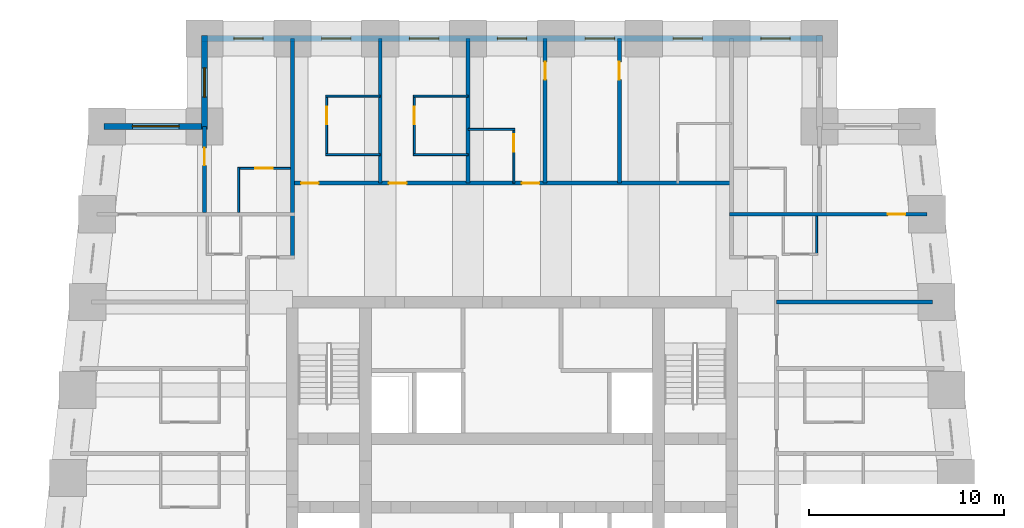
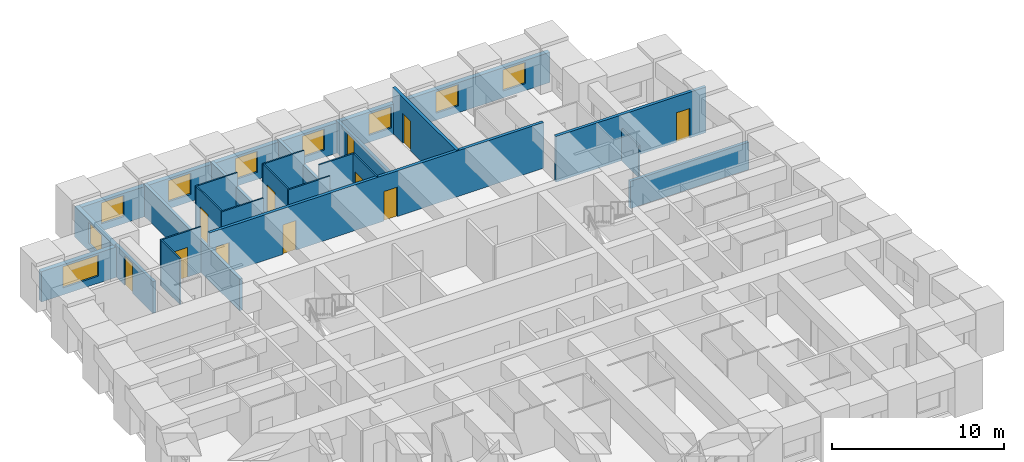
# One storey, part 6 of 8: 23 walls, 11 doors, 9 windows, 20 openings.
"""IFC4 building model written with IfcOpenShell, lengths in metres."""

import ifcopenshell
import ifcopenshell.guid

model = None  # the IFC model being written
_history = None  # IfcOwnerHistory: only IFC2X3 demands one
_inside = {}  # id of a spatial element -> (the spatial element, [elements in it])
_under = {}  # id of a project, library or spatial element -> (it, [spatial elements below it])
_declared = {}  # id of a project -> (the project, [libraries it declares])
_typed = {}  # id of a type object -> (the type object, [elements of that type])
_made_of = {}  # id of a material, layer set ... -> (it, [elements and type objects made of it])


def new_model(schema):
    """Start an empty IFC model of exactly this schema.

    Asked for "IFC4X3", IfcOpenShell would pick the latest addendum, in which some entities
    have other attributes; the version numbers below select the first issue.
    IFC2X3 requires an IfcOwnerHistory on every rooted entity: one is made here for all.
    """
    global model, _history
    if schema == "IFC4X3":
        model = ifcopenshell.file(schema_version=(4, 3, 0, 0))
    else:
        model = ifcopenshell.file(schema=schema)
    _inside.clear()
    _under.clear()
    _declared.clear()
    _typed.clear()
    _made_of.clear()
    _history = None
    if model.schema == "IFC2X3":
        org = make("IfcOrganization", Name="unknown")
        user = make(
            "IfcPersonAndOrganization",
            ThePerson=make("IfcPerson", FamilyName="unknown"),
            TheOrganization=org,
        )
        app = make(
            "IfcApplication",
            ApplicationDeveloper=org,
            Version="unknown",
            ApplicationFullName="unknown",
            ApplicationIdentifier="unknown",
        )
        _history = make(
            "IfcOwnerHistory",
            OwningUser=user,
            OwningApplication=app,
            ChangeAction="ADDED",
            CreationDate=0,
        )
    return model


def make(cls, **values):
    """One entity of the class cls with the attributes given. An attribute that is None is left unset."""
    return model.create_entity(
        cls, **{name: value for name, value in values.items() if value is not None}
    )


def rooted(cls, **values):
    """An entity with a GlobalId (a new one), such as an element, a storey or a relation."""
    return make(cls, GlobalId=ifcopenshell.guid.new(), OwnerHistory=_history, **values)


def si_unit(unit_type, name, prefix=None):
    """IfcSIUnit, for example si_unit("LENGTHUNIT", "METRE", prefix="MILLI")."""
    return make("IfcSIUnit", UnitType=unit_type, Prefix=prefix, Name=name)


def assignment(units):
    """IfcUnitAssignment: the units of a project."""
    return None if units is None else make("IfcUnitAssignment", Units=units)


def point(xyz):
    """IfcCartesianPoint."""
    return None if xyz is None else make("IfcCartesianPoint", Coordinates=xyz)


def direction(xyz):
    """IfcDirection."""
    return None if xyz is None else make("IfcDirection", DirectionRatios=xyz)


def frame(location, z_axis=None, x_axis=None):
    """IfcAxis2Placement3D, a coordinate frame: its origin and axes. An axis left out is left unset."""
    return make(
        "IfcAxis2Placement3D",
        Location=point(location),
        Axis=direction(z_axis),
        RefDirection=direction(x_axis),
    )


def frame_2d(location, x_axis=None):
    """IfcAxis2Placement2D, a coordinate frame in the plane: its origin and x axis."""
    return make(
        "IfcAxis2Placement2D", Location=point(location), RefDirection=direction(x_axis)
    )


def origin():
    """The frame at (0, 0, 0) with its axes left unset."""
    return frame((0.0, 0.0, 0.0))


def place(relative_to, where):
    """IfcLocalPlacement: puts the frame where relative to a parent placement (None: the world)."""
    return make(
        "IfcLocalPlacement", PlacementRelTo=relative_to, RelativePlacement=where
    )


def context(
    kind, dimensions, precision=None, world=None, true_north=None, identifier=None
):
    """IfcGeometricRepresentationContext, for example the 3D "Model" context."""
    return make(
        "IfcGeometricRepresentationContext",
        ContextIdentifier=identifier,
        ContextType=kind,
        CoordinateSpaceDimension=dimensions,
        Precision=precision,
        WorldCoordinateSystem=world,
        TrueNorth=true_north,
    )


def subcontext(parent, identifier, kind, view, scale=None):
    """IfcGeometricRepresentationSubContext, for example "Body" below "Model"."""
    return make(
        "IfcGeometricRepresentationSubContext",
        ContextIdentifier=identifier,
        ContextType=kind,
        ParentContext=parent,
        TargetScale=scale,
        TargetView=view,
    )


def project(units=None, contexts=None):
    """IfcProject with its units and contexts."""
    return rooted(
        "IfcProject",
        Name="project",
        RepresentationContexts=contexts,
        UnitsInContext=assignment(units),
    )


def spatial(cls, under=None, at=None, **own):
    """A site, building, storey or space (cls), placed at a placement, below another one or the project."""
    s = rooted(cls, ObjectPlacement=at, **own)
    if under is not None:
        _under.setdefault(under.id(), (under, []))[1].append(s)
    return s


def profile(cls, at=None, kind="AREA", **sizes):
    """A parametric profile (cls). Its sizes go by their IFC names, for example OverallWidth=200.0."""
    return make(cls, ProfileType=kind, Position=at, **sizes)


def rectangle(**sizes):
    """IfcRectangleProfileDef."""
    return profile("IfcRectangleProfileDef", **sizes)


def extrude(swept, where, along, depth):
    """IfcExtrudedAreaSolid: the profile swept, set in the frame where, extruded along a direction by depth."""
    return make(
        "IfcExtrudedAreaSolid",
        SweptArea=swept,
        Position=where,
        ExtrudedDirection=direction(along),
        Depth=depth,
    )


def shape(context_of_items, identifier, shape_type, items):
    """IfcShapeRepresentation: the items that make up one representation, for example the "Body"."""
    return make(
        "IfcShapeRepresentation",
        ContextOfItems=context_of_items,
        RepresentationIdentifier=identifier,
        RepresentationType=shape_type,
        Items=items,
    )


def material(Name=None, Category=None):
    """IfcMaterial."""
    return make("IfcMaterial", Name=Name, Category=Category)


def layer(
    of_material, thickness, ventilated=None, Name=None, Category=None, Priority=None
):
    """IfcMaterialLayer: one layer of a wall or slab, of a material (None: an air gap)."""
    return make(
        "IfcMaterialLayer",
        Material=of_material,
        LayerThickness=thickness,
        IsVentilated=ventilated,
        Name=Name,
        Category=Category,
        Priority=Priority,
    )


def layer_set(layers, Name=None):
    """IfcMaterialLayerSet."""
    return make("IfcMaterialLayerSet", MaterialLayers=layers, LayerSetName=Name)


def made_of(thing, what):
    """Note that an element or type object is made of a material, layer set ...; save() writes the relation."""
    if what is not None:
        _made_of.setdefault(what.id(), (what, []))[1].append(thing)
    return thing


def type_object(cls, material=None, **own):
    """A type object (cls), such as IfcWallType, which elements share."""
    return made_of(rooted(cls, **own), material)


def element(
    cls,
    number,
    at=None,
    inside=None,
    cuts=None,
    type_object=None,
    material=None,
    context=None,
    identifier="Body",
    shape_type=None,
    held_by="IfcProductDefinitionShape",
    body=None,
    shapes=None,
    **own,
):
    """One element of the class cls, such as IfcWall. Its Tag is "e" and its number.

    at: its placement. inside: the storey or other place that contains it. cuts: it is an
    opening in that element (IfcRelVoidsElement). A single representation is given by context,
    identifier, shape_type and body (its items); several are given by shapes. held_by: the class
    of the entity that holds the representations. save() writes the other relations.
    """
    e = rooted(cls, Tag="e%d" % number, ObjectPlacement=at, **own)
    if body is not None:
        shapes = [shape(context, identifier, shape_type, body)]
    if shapes is not None:
        e.Representation = make(held_by, Representations=shapes)
    if inside is not None:
        _inside.setdefault(inside.id(), (inside, []))[1].append(e)
    if cuts is not None:
        rooted(
            "IfcRelVoidsElement", RelatingBuildingElement=cuts, RelatedOpeningElement=e
        )
    if type_object is not None:
        _typed.setdefault(type_object.id(), (type_object, []))[1].append(e)
    return made_of(e, material)


def fill(opening, filler):
    """IfcRelFillsElement: the door or window that sits in an opening."""
    return rooted(
        "IfcRelFillsElement",
        RelatingOpeningElement=opening,
        RelatedBuildingElement=filler,
    )


def aggregate(whole, parts):
    """IfcRelAggregates: a whole, such as a stair, and the parts it consists of."""
    return rooted("IfcRelAggregates", RelatingObject=whole, RelatedObjects=parts)


def save(model, path):
    """Write the relations noted so far, then the file.

    IfcRelAggregates (storeys below a building ...), IfcRelContainedInSpatialStructure (elements
    in a storey), IfcRelDefinesByType, IfcRelAssociatesMaterial and IfcRelDeclares: one each for
    every whole, place, type object, material and project.
    """
    for whole, parts in _under.values():
        aggregate(whole, parts)
    for where, things in _inside.values():
        rooted(
            "IfcRelContainedInSpatialStructure",
            RelatedElements=things,
            RelatingStructure=where,
        )
    for kind, things in _typed.values():
        rooted("IfcRelDefinesByType", RelatedObjects=things, RelatingType=kind)
    for what, things in _made_of.values():
        rooted("IfcRelAssociatesMaterial", RelatedObjects=things, RelatingMaterial=what)
    for by, libraries in _declared.values():
        rooted("IfcRelDeclares", RelatingContext=by, RelatedDefinitions=libraries)
    model.write(path)


model = new_model("IFC4")

# Units and contexts
model_context = context("Model", 3, precision=1e-05, world=origin(), true_north=direction((0.0, 1.0)))
body_context = subcontext(model_context, "Body", "Model", "MODEL_VIEW")
ifc_project = project(units=[si_unit("LENGTHUNIT", "METRE"), si_unit("AREAUNIT", "SQUARE_METRE"), si_unit("VOLUMEUNIT", "CUBIC_METRE"), si_unit("PLANEANGLEUNIT", "RADIAN"), si_unit("MASSUNIT", "GRAM", prefix="KILO")], contexts=[model_context])

# Site, building, storey
site_placement = place(None, origin())
site = spatial("IfcSite", under=ifc_project, at=site_placement, CompositionType="ELEMENT")
building_placement = place(site_placement, origin())
building = spatial("IfcBuilding", under=site, at=building_placement, Name="Kilele Tower Hotel", CompositionType="ELEMENT")
storey_placement = place(building_placement, frame((0.0, 0.0, 103.89990234375)))
storey = spatial("IfcBuildingStorey", under=building, at=storey_placement, Name="L26", CompositionType="ELEMENT", Elevation=103.89990234375)

# Walls
ifc_material_1 = material(Name="Moisture-resistant board")
ifc_layer_1 = layer(ifc_material_1, 0.10009765625)
ifc_layer_set_1 = layer_set([ifc_layer_1], Name="Moisture-resistant board")
wall_type_1 = type_object("IfcWallType", Name="Bathroom partition 100", PredefinedType="PLUMBINGWALL", material=ifc_layer_set_1)
for number, where, z_axis, x_axis, name in (
    (1, (15.199951171875, 34.550048828125, 0.0), (0.0, 0.0, 1.0), (1.0, 0.0, 0.0), "Bathroom partition 100 L26"),
    (2, (15.199951171875, 37.550048828125, 0.0), (0.0, 0.0, 1.0), (1.0, 0.0, 0.0), "Bathroom partition 100 L26"),
):
    element("IfcWall", number, at=place(storey_placement, frame(where, z_axis=z_axis, x_axis=x_axis)), inside=storey, type_object=wall_type_1, Name=name, PredefinedType="PLUMBINGWALL", context=body_context, shape_type="SweptSolid", body=[
        extrude(rectangle(XDim=2.800048828125, YDim=0.10009765625, at=frame_2d((1.39990234375, 0.0))), origin(), (0.0, 0.0, 1.0), 3.25),
    ])

# Wall, opening, door
wall_1_placement = place(storey_placement, frame((15.25, 34.5, 0.0), z_axis=(0.0, 0.0, 1.0), x_axis=(0.0, 1.0, 0.0)))
wall_1 = element("IfcWall", 3, at=wall_1_placement, inside=storey, type_object=wall_type_1, Name="Bathroom partition 100 L26", PredefinedType="PLUMBINGWALL", context=body_context, shape_type="SweptSolid", body=[
    extrude(rectangle(XDim=3.10009765625, YDim=0.10009765625, at=frame_2d((1.550048828125, 0.0))), origin(), (0.0, 0.0, 1.0), 3.25),
])
opening_1_placement = place(wall_1_placement, frame((1.60009765625, 0.0, 0.0)))
opening_1 = element("IfcOpeningElement", 4, at=opening_1_placement, cuts=wall_1, Name="Opening D2A", PredefinedType="OPENING", context=body_context, shape_type="SweptSolid", body=[
    extrude(rectangle(XDim=0.89990234375, YDim=2.10009765625, at=frame_2d((0.449951171875, 1.050048828125))), frame((0.0, 0.06005859375, 0.0), z_axis=(0.0, -1.0, 0.0), x_axis=(1.0, 0.0, 0.0)), (0.0, 0.0, 1.0), 0.1201171875),
])
ifc_material_2 = material(Name="Timber door leaf in hardwood frame", Category="wood")
door_type_1 = type_object("IfcDoorType", Name="Bathroom door 900", OperationType="SINGLE_SWING_LEFT", PredefinedType="DOOR", material=ifc_material_2)
door_1_placement = place(opening_1_placement, origin())
door_1 = element("IfcDoor", 5, at=door_1_placement, inside=storey, type_object=door_type_1, Name="Bathroom door 2609B", OperationType="SINGLE_SWING_RIGHT", OverallHeight=2.10009765625, OverallWidth=0.89990234375, PredefinedType="DOOR", context=body_context, shape_type="SweptSolid", body=[
    extrude(rectangle(XDim=0.89990234375, YDim=2.10009765625, at=frame_2d((0.449951171875, 1.050048828125))), frame((0.0, 0.02490234375, 0.0), z_axis=(0.0, -1.0, 0.0), x_axis=(1.0, 0.0, 0.0)), (0.0, 0.0, 1.0), 0.050048828125),
])
fill(opening_1, door_1)

# Walls
for number, where, z_axis, x_axis, name in (
    (6, (19.699951171875, 34.550048828125, 0.0), (0.0, 0.0, 1.0), (1.0, 0.0, 0.0), "Bathroom partition 100 L26"),
    (7, (19.699951171875, 37.550048828125, 0.0), (0.0, 0.0, 1.0), (1.0, 0.0, 0.0), "Bathroom partition 100 L26"),
):
    element("IfcWall", number, at=place(storey_placement, frame(where, z_axis=z_axis, x_axis=x_axis)), inside=storey, type_object=wall_type_1, Name=name, PredefinedType="PLUMBINGWALL", context=body_context, shape_type="SweptSolid", body=[
        extrude(rectangle(XDim=2.800048828125, YDim=0.10009765625, at=frame_2d((1.39990234375, 0.0))), origin(), (0.0, 0.0, 1.0), 3.25),
    ])

# Wall, opening, door
wall_2_placement = place(storey_placement, frame((19.75, 34.5, 0.0), z_axis=(0.0, 0.0, 1.0), x_axis=(0.0, 1.0, 0.0)))
wall_2 = element("IfcWall", 8, at=wall_2_placement, inside=storey, type_object=wall_type_1, Name="Bathroom partition 100 L26", PredefinedType="PLUMBINGWALL", context=body_context, shape_type="SweptSolid", body=[
    extrude(rectangle(XDim=3.10009765625, YDim=0.10009765625, at=frame_2d((1.550048828125, 0.0))), origin(), (0.0, 0.0, 1.0), 3.25),
])
opening_2_placement = place(wall_2_placement, frame((1.60009765625, 0.0, 0.0)))
opening_2 = element("IfcOpeningElement", 9, at=opening_2_placement, cuts=wall_2, Name="Opening D2A", PredefinedType="OPENING", context=body_context, shape_type="SweptSolid", body=[
    extrude(rectangle(XDim=0.89990234375, YDim=2.10009765625, at=frame_2d((0.449951171875, 1.050048828125))), frame((0.0, 0.06005859375, 0.0), z_axis=(0.0, -1.0, 0.0), x_axis=(1.0, 0.0, 0.0)), (0.0, 0.0, 1.0), 0.1201171875),
])
door_2_placement = place(opening_2_placement, origin())
door_2 = element("IfcDoor", 10, at=door_2_placement, inside=storey, type_object=door_type_1, Name="Bathroom door 2610B", OperationType="SINGLE_SWING_RIGHT", OverallHeight=2.10009765625, OverallWidth=0.89990234375, PredefinedType="DOOR", context=body_context, shape_type="SweptSolid", body=[
    extrude(rectangle(XDim=0.89990234375, YDim=2.10009765625, at=frame_2d((0.449951171875, 1.050048828125))), frame((0.0, 0.02490234375, 0.0), z_axis=(0.0, -1.0, 0.0), x_axis=(1.0, 0.0, 0.0)), (0.0, 0.0, 1.0), 0.050048828125),
])
fill(opening_2, door_2)

# Wall
wall_3_placement = place(storey_placement, frame((22.5, 35.85009765625, 0.0), z_axis=(0.0, 0.0, 1.0), x_axis=(1.0, 0.0, 0.0)))
element("IfcWall", 11, at=wall_3_placement, inside=storey, type_object=wall_type_1, Name="Bathroom partition 100 L26", PredefinedType="PLUMBINGWALL", context=body_context, shape_type="SweptSolid", body=[
    extrude(rectangle(XDim=2.39990234375, YDim=0.10009765625, at=frame_2d((1.199951171875, 0.0))), origin(), (0.0, 0.0, 1.0), 3.25),
])

# Wall, opening, door
wall_4_placement = place(storey_placement, frame((24.85009765625, 33.10009765625, 0.0), z_axis=(0.0, 0.0, 1.0), x_axis=(0.0, 1.0, 0.0)))
wall_4 = element("IfcWall", 12, at=wall_4_placement, inside=storey, type_object=wall_type_1, Name="Bathroom partition 100 L26", PredefinedType="PLUMBINGWALL", context=body_context, shape_type="SweptSolid", body=[
    extrude(rectangle(XDim=2.7998046875, YDim=0.10009765625, at=frame_2d((1.39990234375, 0.0))), origin(), (0.0, 0.0, 1.0), 3.25),
])
opening_3_placement = place(wall_4_placement, frame((2.5, 0.0, 0.0), z_axis=(0.0, 0.0, 1.0), x_axis=(-1.0, 0.0, 0.0)))
opening_3 = element("IfcOpeningElement", 13, at=opening_3_placement, cuts=wall_4, Name="Opening D2A", PredefinedType="OPENING", context=body_context, shape_type="SweptSolid", body=[
    extrude(rectangle(XDim=0.89990234375, YDim=2.10009765625, at=frame_2d((0.449951171875, 1.050048828125))), frame((0.0, 0.06005859375, 0.0), z_axis=(0.0, -1.0, 0.0), x_axis=(1.0, 0.0, 0.0)), (0.0, 0.0, 1.0), 0.1201171875),
])
door_3_placement = place(opening_3_placement, origin())
door_3 = element("IfcDoor", 14, at=door_3_placement, inside=storey, type_object=door_type_1, Name="Bathroom door 2611B", OperationType="SINGLE_SWING_RIGHT", OverallHeight=2.10009765625, OverallWidth=0.89990234375, PredefinedType="DOOR", context=body_context, shape_type="SweptSolid", body=[
    extrude(rectangle(XDim=0.89990234375, YDim=2.10009765625, at=frame_2d((0.449951171875, 1.050048828125))), frame((0.0, 0.02490234375, 0.0), z_axis=(0.0, -1.0, 0.0), x_axis=(1.0, 0.0, 0.0)), (0.0, 0.0, 1.0), 0.050048828125),
])
fill(opening_3, door_3)

# Walls
wall_5_placement = place(storey_placement, frame((40.35009765625, 31.39990234375, 0.0), z_axis=(0.0, 0.0, 1.0), x_axis=(0.0, -1.0, 0.0)))
element("IfcWall", 15, at=wall_5_placement, inside=storey, type_object=wall_type_1, Name="Bathroom partition 100 L26", PredefinedType="PLUMBINGWALL", context=body_context, shape_type="SweptSolid", body=[
    extrude(rectangle(XDim=2.0, YDim=0.10009765625, at=frame_2d((1.0, 0.0))), origin(), (0.0, 0.0, 1.0), 2.25),
])
wall_6_placement = place(storey_placement, frame((10.75, 31.60009765625, 0.0), z_axis=(0.0, 0.0, 1.0), x_axis=(0.0, 1.0, 0.0)))
element("IfcWall", 16, at=wall_6_placement, inside=storey, type_object=wall_type_1, Name="Bathroom partition 100 L26", PredefinedType="PLUMBINGWALL", context=body_context, shape_type="SweptSolid", body=[
    extrude(rectangle(XDim=2.2998046875, YDim=0.10009765625, at=frame_2d((1.14990234375, 0.0))), origin(), (0.0, 0.0, 1.0), 3.25),
])

# Wall, opening, door
wall_7_placement = place(storey_placement, frame((13.39990234375, 33.85009765625, 0.0), z_axis=(0.0, 0.0, 1.0), x_axis=(-1.0, 0.0, 0.0)))
wall_7 = element("IfcWall", 17, at=wall_7_placement, inside=storey, type_object=wall_type_1, Name="Bathroom partition 100 L26", PredefinedType="PLUMBINGWALL", context=body_context, shape_type="SweptSolid", body=[
    extrude(rectangle(XDim=2.699951171875, YDim=0.10009765625, at=frame_2d((1.35009765625, 0.0))), origin(), (0.0, 0.0, 1.0), 3.25),
])
opening_4_placement = place(wall_7_placement, frame((1.7998046875, 0.0, 0.0), z_axis=(0.0, 0.0, 1.0), x_axis=(-1.0, 0.0, 0.0)))
opening_4 = element("IfcOpeningElement", 18, at=opening_4_placement, cuts=wall_7, Name="Opening D2A", PredefinedType="OPENING", context=body_context, shape_type="SweptSolid", body=[
    extrude(rectangle(XDim=0.89990234375, YDim=2.10009765625, at=frame_2d((0.449951171875, 1.050048828125))), frame((0.0, 0.06005859375, 0.0), z_axis=(0.0, -1.0, 0.0), x_axis=(1.0, 0.0, 0.0)), (0.0, 0.0, 1.0), 0.1201171875),
])
door_4_placement = place(opening_4_placement, origin())
door_4 = element("IfcDoor", 19, at=door_4_placement, inside=storey, type_object=door_type_1, Name="Bathroom door 2627B", OperationType="SINGLE_SWING_RIGHT", OverallHeight=2.10009765625, OverallWidth=0.89990234375, PredefinedType="DOOR", context=body_context, shape_type="SweptSolid", body=[
    extrude(rectangle(XDim=0.89990234375, YDim=2.10009765625, at=frame_2d((0.449951171875, 1.050048828125))), frame((0.0, 0.02490234375, 0.0), z_axis=(0.0, -1.0, 0.0), x_axis=(1.0, 0.0, 0.0)), (0.0, 0.0, 1.0), 0.050048828125),
])
fill(opening_4, door_4)

# Wall, openings, doors
ifc_material_3 = material(Name="Blockwork, plastered both sides", Category="masonry")
ifc_layer_2 = layer(ifc_material_3, 0.199951171875)
ifc_layer_set_2 = layer_set([ifc_layer_2], Name="Blockwork, plastered both sides")
wall_type_2 = type_object("IfcWallType", Name="Corridor wall 200", PredefinedType="PARTITIONING", material=ifc_layer_set_2)
wall_8_placement = place(storey_placement, frame((13.5, 33.10009765625, 0.0), z_axis=(0.0, 0.0, 1.0), x_axis=(1.0, 0.0, 0.0)))
wall_8 = element("IfcWall", 20, at=wall_8_placement, inside=storey, type_object=wall_type_2, Name="Corridor wall 200 L26", PredefinedType="PARTITIONING", context=body_context, shape_type="SweptSolid", body=[
    extrude(rectangle(XDim=22.5, YDim=0.199951171875, at=frame_2d((11.25, 0.0))), origin(), (0.0, 0.0, 1.0), 3.25),
])
opening_5_placement = place(wall_8_placement, frame((0.449951171875, 0.0, 0.0)))
opening_5 = element("IfcOpeningElement", 21, at=opening_5_placement, cuts=wall_8, Name="Opening D1", PredefinedType="OPENING", context=body_context, shape_type="SweptSolid", body=[
    extrude(rectangle(XDim=0.89990234375, YDim=2.10009765625, at=frame_2d((0.449951171875, 1.050048828125))), frame((0.0, 0.10986328125, 0.0), z_axis=(0.0, -1.0, 0.0), x_axis=(1.0, 0.0, 0.0)), (0.0, 0.0, 1.0), 0.219970703125),
])
opening_6_placement = place(wall_8_placement, frame((4.949951171875, 0.0, 0.0)))
opening_6 = element("IfcOpeningElement", 22, at=opening_6_placement, cuts=wall_8, Name="Opening D1", PredefinedType="OPENING", context=body_context, shape_type="SweptSolid", body=[
    extrude(rectangle(XDim=0.89990234375, YDim=2.10009765625, at=frame_2d((0.449951171875, 1.050048828125))), frame((0.0, 0.10986328125, 0.0), z_axis=(0.0, -1.0, 0.0), x_axis=(1.0, 0.0, 0.0)), (0.0, 0.0, 1.0), 0.219970703125),
])
opening_7_placement = place(wall_8_placement, frame((11.75, 0.0, 0.0)))
opening_7 = element("IfcOpeningElement", 23, at=opening_7_placement, cuts=wall_8, Name="Opening D1", PredefinedType="OPENING", context=body_context, shape_type="SweptSolid", body=[
    extrude(rectangle(XDim=0.89990234375, YDim=2.10009765625, at=frame_2d((0.449951171875, 1.050048828125))), frame((0.0, 0.10986328125, 0.0), z_axis=(0.0, -1.0, 0.0), x_axis=(1.0, 0.0, 0.0)), (0.0, 0.0, 1.0), 0.219970703125),
])
ifc_material_4 = material(Name="Timber door leaf in hardwood frame", Category="wood")
door_type_2 = type_object("IfcDoorType", Name="Guest room entrance door 900", OperationType="SINGLE_SWING_LEFT", PredefinedType="DOOR", material=ifc_material_4)
door_5_placement = place(opening_5_placement, origin())
door_5 = element("IfcDoor", 24, at=door_5_placement, inside=storey, type_object=door_type_2, Name="Room entrance 2609", OperationType="SINGLE_SWING_LEFT", OverallHeight=2.10009765625, OverallWidth=0.89990234375, PredefinedType="DOOR", context=body_context, shape_type="SweptSolid", body=[
    extrude(rectangle(XDim=0.89990234375, YDim=2.10009765625, at=frame_2d((0.449951171875, 1.050048828125))), frame((0.0, 0.02490234375, 0.0), z_axis=(0.0, -1.0, 0.0), x_axis=(1.0, 0.0, 0.0)), (0.0, 0.0, 1.0), 0.050048828125),
])
fill(opening_5, door_5)
door_6_placement = place(opening_6_placement, origin())
door_6 = element("IfcDoor", 25, at=door_6_placement, inside=storey, type_object=door_type_2, Name="Room entrance 2610", OperationType="SINGLE_SWING_LEFT", OverallHeight=2.10009765625, OverallWidth=0.89990234375, PredefinedType="DOOR", context=body_context, shape_type="SweptSolid", body=[
    extrude(rectangle(XDim=0.89990234375, YDim=2.10009765625, at=frame_2d((0.449951171875, 1.050048828125))), frame((0.0, 0.02490234375, 0.0), z_axis=(0.0, -1.0, 0.0), x_axis=(1.0, 0.0, 0.0)), (0.0, 0.0, 1.0), 0.050048828125),
])
fill(opening_6, door_6)
door_7_placement = place(opening_7_placement, origin())
door_7 = element("IfcDoor", 26, at=door_7_placement, inside=storey, type_object=door_type_2, Name="Room entrance 2611", OperationType="SINGLE_SWING_RIGHT", OverallHeight=2.10009765625, OverallWidth=0.89990234375, PredefinedType="DOOR", context=body_context, shape_type="SweptSolid", body=[
    extrude(rectangle(XDim=0.89990234375, YDim=2.10009765625, at=frame_2d((0.449951171875, 1.050048828125))), frame((0.0, 0.02490234375, 0.0), z_axis=(0.0, -1.0, 0.0), x_axis=(1.0, 0.0, 0.0)), (0.0, 0.0, 1.0), 0.050048828125),
])
fill(opening_7, door_7)

# Wall, opening, door
ifc_material_5 = material(Name="Blockwork, plastered both sides", Category="masonry")
ifc_layer_3 = layer(ifc_material_5, 0.199951171875)
ifc_layer_set_3 = layer_set([ifc_layer_3], Name="Blockwork, plastered both sides")
wall_type_3 = type_object("IfcWallType", Name="Partition wall 200", PredefinedType="PARTITIONING", material=ifc_layer_set_3)
wall_9_placement = place(storey_placement, frame((9.0, 31.60009765625, 0.0), z_axis=(0.0, 0.0, 1.0), x_axis=(0.0, 1.0, 0.0)))
wall_9 = element("IfcWall", 27, at=wall_9_placement, inside=storey, type_object=wall_type_3, Name="Partition wall 200 L26", PredefinedType="PARTITIONING", context=body_context, shape_type="SweptSolid", body=[
    extrude(rectangle(XDim=4.39990234375, YDim=0.199951171875, at=frame_2d((2.199951171875, 0.0))), origin(), (0.0, 0.0, 1.0), 2.25),
])
opening_8_placement = place(wall_9_placement, frame((2.39990234375, 0.0, 0.0)))
opening_8 = element("IfcOpeningElement", 28, at=opening_8_placement, cuts=wall_9, Name="Opening D3", PredefinedType="OPENING", context=body_context, shape_type="SweptSolid", body=[
    extrude(rectangle(XDim=0.89990234375, YDim=2.10009765625, at=frame_2d((0.449951171875, 1.050048828125))), frame((0.0, 0.10986328125, 0.0), z_axis=(0.0, -1.0, 0.0), x_axis=(1.0, 0.0, 0.0)), (0.0, 0.0, 1.0), 0.219970703125),
])
ifc_material_6 = material(Name="Timber door leaf in hardwood frame", Category="wood")
door_type_3 = type_object("IfcDoorType", Name="Suite internal door 900", OperationType="SINGLE_SWING_LEFT", PredefinedType="DOOR", material=ifc_material_6)
door_8_placement = place(opening_8_placement, origin())
door_8 = element("IfcDoor", 29, at=door_8_placement, inside=storey, type_object=door_type_3, Name="Suite door 2628", OperationType="SINGLE_SWING_RIGHT", OverallHeight=2.10009765625, OverallWidth=0.89990234375, PredefinedType="DOOR", context=body_context, shape_type="SweptSolid", body=[
    extrude(rectangle(XDim=0.89990234375, YDim=2.10009765625, at=frame_2d((0.449951171875, 1.050048828125))), frame((0.0, 0.02490234375, 0.0), z_axis=(0.0, -1.0, 0.0), x_axis=(1.0, 0.0, 0.0)), (0.0, 0.0, 1.0), 0.050048828125),
])
fill(opening_8, door_8)

# Walls
ifc_material_7 = material(Name="Blockwork, plastered both sides", Category="masonry")
ifc_layer_4 = layer(ifc_material_7, 0.199951171875)
ifc_layer_set_4 = layer_set([ifc_layer_4], Name="Blockwork, plastered both sides")
wall_type_4 = type_object("IfcWallType", Name="Party wall 200", PredefinedType="PARTITIONING", material=ifc_layer_set_4)
for number, where, z_axis, x_axis, name in (
    (30, (18.0, 33.10009765625, 0.0), (0.0, 0.0, 1.0), (0.0, 1.0, 0.0), "Party wall 200 L26"),
    (31, (22.5, 33.10009765625, 0.0), (0.0, 0.0, 1.0), (0.0, 1.0, 0.0), "Party wall 200 L26"),
):
    element("IfcWall", number, at=place(storey_placement, frame(where, z_axis=z_axis, x_axis=x_axis)), inside=storey, type_object=wall_type_4, Name=name, PredefinedType="PARTITIONING", context=body_context, shape_type="SweptSolid", body=[
        extrude(rectangle(XDim=7.39990234375, YDim=0.199951171875, at=frame_2d((3.699951171875, 0.0))), origin(), (0.0, 0.0, 1.0), 2.25),
    ])

# Wall, opening, door
wall_10_placement = place(storey_placement, frame((26.449951171875, 33.10009765625, 0.0), z_axis=(0.0, 0.0, 1.0), x_axis=(0.0, 1.0, 0.0)))
wall_10 = element("IfcWall", 32, at=wall_10_placement, inside=storey, type_object=wall_type_4, Name="Party wall 200 L26", PredefinedType="PARTITIONING", context=body_context, shape_type="SweptSolid", body=[
    extrude(rectangle(XDim=7.39990234375, YDim=0.199951171875, at=frame_2d((3.699951171875, 0.0))), origin(), (0.0, 0.0, 1.0), 2.25),
])
opening_9_placement = place(wall_10_placement, frame((5.300048828125, 0.0, 0.0)))
opening_9 = element("IfcOpeningElement", 33, at=opening_9_placement, cuts=wall_10, Name="Opening D3", PredefinedType="OPENING", context=body_context, shape_type="SweptSolid", body=[
    extrude(rectangle(XDim=0.89990234375, YDim=2.10009765625, at=frame_2d((0.449951171875, 1.050048828125))), frame((0.0, 0.10986328125, 0.0), z_axis=(0.0, -1.0, 0.0), x_axis=(1.0, 0.0, 0.0)), (0.0, 0.0, 1.0), 0.219970703125),
])
door_9_placement = place(opening_9_placement, origin())
door_9 = element("IfcDoor", 34, at=door_9_placement, inside=storey, type_object=door_type_3, Name="Suite door 2612", OperationType="SINGLE_SWING_RIGHT", OverallHeight=2.10009765625, OverallWidth=0.89990234375, PredefinedType="DOOR", context=body_context, shape_type="SweptSolid", body=[
    extrude(rectangle(XDim=0.89990234375, YDim=2.10009765625, at=frame_2d((0.449951171875, 1.050048828125))), frame((0.0, 0.02490234375, 0.0), z_axis=(0.0, -1.0, 0.0), x_axis=(1.0, 0.0, 0.0)), (0.0, 0.0, 1.0), 0.050048828125),
])
fill(opening_9, door_9)

wall_11_placement = place(storey_placement, frame((30.25, 33.10009765625, 0.0), z_axis=(0.0, 0.0, 1.0), x_axis=(0.0, 1.0, 0.0)))
wall_11 = element("IfcWall", 35, at=wall_11_placement, inside=storey, type_object=wall_type_4, Name="Party wall 200 L26", PredefinedType="PARTITIONING", context=body_context, shape_type="SweptSolid", body=[
    extrude(rectangle(XDim=7.39990234375, YDim=0.199951171875, at=frame_2d((3.699951171875, 0.0))), origin(), (0.0, 0.0, 1.0), 3.25),
])
opening_10_placement = place(wall_11_placement, frame((5.300048828125, 0.0, 0.0)))
opening_10 = element("IfcOpeningElement", 36, at=opening_10_placement, cuts=wall_11, Name="Opening D3", PredefinedType="OPENING", context=body_context, shape_type="SweptSolid", body=[
    extrude(rectangle(XDim=0.89990234375, YDim=2.10009765625, at=frame_2d((0.449951171875, 1.050048828125))), frame((0.0, 0.10986328125, 0.0), z_axis=(0.0, -1.0, 0.0), x_axis=(1.0, 0.0, 0.0)), (0.0, 0.0, 1.0), 0.219970703125),
])
door_10_placement = place(opening_10_placement, origin())
door_10 = element("IfcDoor", 37, at=door_10_placement, inside=storey, type_object=door_type_3, Name="Suite door 2613", OperationType="SINGLE_SWING_RIGHT", OverallHeight=2.10009765625, OverallWidth=0.89990234375, PredefinedType="DOOR", context=body_context, shape_type="SweptSolid", body=[
    extrude(rectangle(XDim=0.89990234375, YDim=2.10009765625, at=frame_2d((0.449951171875, 1.050048828125))), frame((0.0, 0.02490234375, 0.0), z_axis=(0.0, -1.0, 0.0), x_axis=(1.0, 0.0, 0.0)), (0.0, 0.0, 1.0), 0.050048828125),
])
fill(opening_10, door_10)

# Wall
wall_12_placement = place(storey_placement, frame((38.300048828125, 27.0, 0.0), z_axis=(0.0, 0.0, 1.0), x_axis=(1.0, 0.0, 0.0)))
element("IfcWall", 38, at=wall_12_placement, inside=storey, type_object=wall_type_4, Name="Party wall 200 L26", PredefinedType="PARTITIONING", context=body_context, shape_type="SweptSolid", body=[
    extrude(rectangle(XDim=7.976806640625, YDim=0.199951171875, at=frame_2d((3.98828125, 0.0))), origin(), (0.0, 0.0, 1.0), 1.9501953125),
])

# Wall, opening, door
wall_13_placement = place(storey_placement, frame((35.89990234375, 31.5, 0.0), z_axis=(0.0, 0.0, 1.0), x_axis=(1.0, 0.0, 0.0)))
wall_13 = element("IfcWall", 39, at=wall_13_placement, inside=storey, type_object=wall_type_4, Name="Party wall 200 L26", PredefinedType="PARTITIONING", context=body_context, shape_type="SweptSolid", body=[
    extrude(rectangle(XDim=10.09912109375, YDim=0.199951171875, at=frame_2d((5.049560546875, 0.0))), origin(), (0.0, 0.0, 1.0), 3.25),
])
opening_11_placement = place(wall_13_placement, frame((8.09912109375, 0.0, 0.0)))
opening_11 = element("IfcOpeningElement", 40, at=opening_11_placement, cuts=wall_13, Name="Opening D3", PredefinedType="OPENING", context=body_context, shape_type="SweptSolid", body=[
    extrude(rectangle(XDim=0.89990234375, YDim=2.10009765625, at=frame_2d((0.449951171875, 1.050048828125))), frame((0.0, 0.10986328125, 0.0), z_axis=(0.0, -1.0, 0.0), x_axis=(1.0, 0.0, 0.0)), (0.0, 0.0, 1.0), 0.219970703125),
])
door_11_placement = place(opening_11_placement, origin())
door_11 = element("IfcDoor", 41, at=door_11_placement, inside=storey, type_object=door_type_3, Name="Suite door 2624", OperationType="SINGLE_SWING_RIGHT", OverallHeight=2.10009765625, OverallWidth=0.89990234375, PredefinedType="DOOR", context=body_context, shape_type="SweptSolid", body=[
    extrude(rectangle(XDim=0.89990234375, YDim=2.10009765625, at=frame_2d((0.449951171875, 1.050048828125))), frame((0.0, 0.02490234375, 0.0), z_axis=(0.0, -1.0, 0.0), x_axis=(1.0, 0.0, 0.0)), (0.0, 0.0, 1.0), 0.050048828125),
])
fill(opening_11, door_11)

# Wall
wall_14_placement = place(storey_placement, frame((13.5, 29.300048828125, 0.0), z_axis=(0.0, 0.0, 1.0), x_axis=(0.0, 1.0, 0.0)))
element("IfcWall", 42, at=wall_14_placement, inside=storey, type_object=wall_type_4, Name="Party wall 200 L26", PredefinedType="PARTITIONING", context=body_context, shape_type="SweptSolid", body=[
    extrude(rectangle(XDim=11.199951171875, YDim=0.199951171875, at=frame_2d((5.60009765625, 0.0))), origin(), (0.0, 0.0, 1.0), 2.25),
])

# Wall, openings, windows
ifc_material_8 = material(Name="Concrete C40/50 precast", Category="concrete")
ifc_layer_5 = layer(ifc_material_8, 0.260009765625, Name="Precast backing", Category="LoadBearing")
ifc_material_9 = material(Name="Reconstituted stone finish", Category="masonry")
ifc_layer_6 = layer(ifc_material_9, 0.0400390625, Name="Face mix", Category="Finish")
ifc_layer_set_5 = layer_set([ifc_layer_5, ifc_layer_6], Name="Precast concrete C40/50, reconstituted stone finish")
wall_type_5 = type_object("IfcWallType", Name="Precast stone facade wall 300", PredefinedType="STANDARD", material=ifc_layer_set_5)
wall_15_placement = place(storey_placement, frame((40.64990234375, 40.5, 0.0), z_axis=(0.0, 0.0, 1.0), x_axis=(-1.0, 0.0, 0.0)))
wall_15 = element("IfcWall", 43, at=wall_15_placement, inside=storey, type_object=wall_type_5, Name="Facade wall L26 edge 9", PredefinedType="STANDARD", context=body_context, shape_type="SweptSolid", body=[
    extrude(rectangle(XDim=31.7998046875, YDim=0.300048828125, at=frame_2d((15.89990234375, 0.0))), origin(), (0.0, 0.0, 1.0), 2.150146484375),
])
opening_12_placement = place(wall_15_placement, frame((1.64990234375, 0.0, 0.5)))
opening_12 = element("IfcOpeningElement", 44, at=opening_12_placement, cuts=wall_15, Name="Opening W2", PredefinedType="OPENING", context=body_context, shape_type="SweptSolid", body=[
    extrude(rectangle(XDim=1.5, YDim=1.5, at=frame_2d((0.75, 0.75))), frame((0.0, 0.159912109375, 0.0), z_axis=(0.0, -1.0, 0.0), x_axis=(1.0, 0.0, 0.0)), (0.0, 0.0, 1.0), 0.320068359375),
])
opening_13_placement = place(wall_15_placement, frame((6.14990234375, 0.0, 0.5)))
opening_13 = element("IfcOpeningElement", 45, at=opening_13_placement, cuts=wall_15, Name="Opening W2", PredefinedType="OPENING", context=body_context, shape_type="SweptSolid", body=[
    extrude(rectangle(XDim=1.5, YDim=1.5, at=frame_2d((0.75, 0.75))), frame((0.0, 0.159912109375, 0.0), z_axis=(0.0, -1.0, 0.0), x_axis=(1.0, 0.0, 0.0)), (0.0, 0.0, 1.0), 0.320068359375),
])
opening_14_placement = place(wall_15_placement, frame((10.64990234375, 0.0, 0.5)))
opening_14 = element("IfcOpeningElement", 46, at=opening_14_placement, cuts=wall_15, Name="Opening W2", PredefinedType="OPENING", context=body_context, shape_type="SweptSolid", body=[
    extrude(rectangle(XDim=1.5, YDim=1.5, at=frame_2d((0.75, 0.75))), frame((0.0, 0.159912109375, 0.0), z_axis=(0.0, -1.0, 0.0), x_axis=(1.0, 0.0, 0.0)), (0.0, 0.0, 1.0), 0.320068359375),
])
opening_15_placement = place(wall_15_placement, frame((15.14990234375, 0.0, 0.5)))
opening_15 = element("IfcOpeningElement", 47, at=opening_15_placement, cuts=wall_15, Name="Opening W2", PredefinedType="OPENING", context=body_context, shape_type="SweptSolid", body=[
    extrude(rectangle(XDim=1.5, YDim=1.5, at=frame_2d((0.75, 0.75))), frame((0.0, 0.159912109375, 0.0), z_axis=(0.0, -1.0, 0.0), x_axis=(1.0, 0.0, 0.0)), (0.0, 0.0, 1.0), 0.320068359375),
])
opening_16_placement = place(wall_15_placement, frame((19.64990234375, 0.0, 0.5)))
opening_16 = element("IfcOpeningElement", 48, at=opening_16_placement, cuts=wall_15, Name="Opening W2", PredefinedType="OPENING", context=body_context, shape_type="SweptSolid", body=[
    extrude(rectangle(XDim=1.5, YDim=1.5, at=frame_2d((0.75, 0.75))), frame((0.0, 0.159912109375, 0.0), z_axis=(0.0, -1.0, 0.0), x_axis=(1.0, 0.0, 0.0)), (0.0, 0.0, 1.0), 0.320068359375),
])
opening_17_placement = place(wall_15_placement, frame((24.14990234375, 0.0, 0.5)))
opening_17 = element("IfcOpeningElement", 49, at=opening_17_placement, cuts=wall_15, Name="Opening W2", PredefinedType="OPENING", context=body_context, shape_type="SweptSolid", body=[
    extrude(rectangle(XDim=1.5, YDim=1.5, at=frame_2d((0.75, 0.75))), frame((0.0, 0.159912109375, 0.0), z_axis=(0.0, -1.0, 0.0), x_axis=(1.0, 0.0, 0.0)), (0.0, 0.0, 1.0), 0.320068359375),
])
opening_18_placement = place(wall_15_placement, frame((28.64990234375, 0.0, 0.5)))
opening_18 = element("IfcOpeningElement", 50, at=opening_18_placement, cuts=wall_15, Name="Opening W2", PredefinedType="OPENING", context=body_context, shape_type="SweptSolid", body=[
    extrude(rectangle(XDim=1.5, YDim=1.5, at=frame_2d((0.75, 0.75))), frame((0.0, 0.159912109375, 0.0), z_axis=(0.0, -1.0, 0.0), x_axis=(1.0, 0.0, 0.0)), (0.0, 0.0, 1.0), 0.320068359375),
])
ifc_material_10 = material(Name="Aluminium frame, clear double glazing", Category="aluminium")
window_type_1 = type_object("IfcWindowType", Name="Window W2 1500 x 1500", PartitioningType="SINGLE_PANEL", PredefinedType="WINDOW", material=ifc_material_10)
window_1_placement = place(opening_12_placement, origin())
window_1 = element("IfcWindow", 51, at=window_1_placement, inside=storey, type_object=window_type_1, Name="Window L26", OverallHeight=1.5, OverallWidth=1.5, PartitioningType="SINGLE_PANEL", PredefinedType="WINDOW", context=body_context, shape_type="SweptSolid", body=[
    extrude(rectangle(XDim=1.5, YDim=1.5, at=frame_2d((0.75, 0.75))), frame((0.0, 0.030029296875, 0.0), z_axis=(0.0, -1.0, 0.0), x_axis=(1.0, 0.0, 0.0)), (0.0, 0.0, 1.0), 0.06005859375),
])
fill(opening_12, window_1)
window_2_placement = place(opening_13_placement, origin())
window_2 = element("IfcWindow", 52, at=window_2_placement, inside=storey, type_object=window_type_1, Name="Window L26", OverallHeight=1.5, OverallWidth=1.5, PartitioningType="SINGLE_PANEL", PredefinedType="WINDOW", context=body_context, shape_type="SweptSolid", body=[
    extrude(rectangle(XDim=1.5, YDim=1.5, at=frame_2d((0.75, 0.75))), frame((0.0, 0.030029296875, 0.0), z_axis=(0.0, -1.0, 0.0), x_axis=(1.0, 0.0, 0.0)), (0.0, 0.0, 1.0), 0.06005859375),
])
fill(opening_13, window_2)
window_3_placement = place(opening_14_placement, origin())
window_3 = element("IfcWindow", 53, at=window_3_placement, inside=storey, type_object=window_type_1, Name="Window L26", OverallHeight=1.5, OverallWidth=1.5, PartitioningType="SINGLE_PANEL", PredefinedType="WINDOW", context=body_context, shape_type="SweptSolid", body=[
    extrude(rectangle(XDim=1.5, YDim=1.5, at=frame_2d((0.75, 0.75))), frame((0.0, 0.030029296875, 0.0), z_axis=(0.0, -1.0, 0.0), x_axis=(1.0, 0.0, 0.0)), (0.0, 0.0, 1.0), 0.06005859375),
])
fill(opening_14, window_3)
window_4_placement = place(opening_15_placement, origin())
window_4 = element("IfcWindow", 54, at=window_4_placement, inside=storey, type_object=window_type_1, Name="Window L26", OverallHeight=1.5, OverallWidth=1.5, PartitioningType="SINGLE_PANEL", PredefinedType="WINDOW", context=body_context, shape_type="SweptSolid", body=[
    extrude(rectangle(XDim=1.5, YDim=1.5, at=frame_2d((0.75, 0.75))), frame((0.0, 0.030029296875, 0.0), z_axis=(0.0, -1.0, 0.0), x_axis=(1.0, 0.0, 0.0)), (0.0, 0.0, 1.0), 0.06005859375),
])
fill(opening_15, window_4)
window_5_placement = place(opening_16_placement, origin())
window_5 = element("IfcWindow", 55, at=window_5_placement, inside=storey, type_object=window_type_1, Name="Window L26", OverallHeight=1.5, OverallWidth=1.5, PartitioningType="SINGLE_PANEL", PredefinedType="WINDOW", context=body_context, shape_type="SweptSolid", body=[
    extrude(rectangle(XDim=1.5, YDim=1.5, at=frame_2d((0.75, 0.75))), frame((0.0, 0.030029296875, 0.0), z_axis=(0.0, -1.0, 0.0), x_axis=(1.0, 0.0, 0.0)), (0.0, 0.0, 1.0), 0.06005859375),
])
fill(opening_16, window_5)
window_6_placement = place(opening_17_placement, origin())
window_6 = element("IfcWindow", 56, at=window_6_placement, inside=storey, type_object=window_type_1, Name="Window L26", OverallHeight=1.5, OverallWidth=1.5, PartitioningType="SINGLE_PANEL", PredefinedType="WINDOW", context=body_context, shape_type="SweptSolid", body=[
    extrude(rectangle(XDim=1.5, YDim=1.5, at=frame_2d((0.75, 0.75))), frame((0.0, 0.030029296875, 0.0), z_axis=(0.0, -1.0, 0.0), x_axis=(1.0, 0.0, 0.0)), (0.0, 0.0, 1.0), 0.06005859375),
])
fill(opening_17, window_6)
window_7_placement = place(opening_18_placement, origin())
window_7 = element("IfcWindow", 57, at=window_7_placement, inside=storey, type_object=window_type_1, Name="Window L26", OverallHeight=1.5, OverallWidth=1.5, PartitioningType="SINGLE_PANEL", PredefinedType="WINDOW", context=body_context, shape_type="SweptSolid", body=[
    extrude(rectangle(XDim=1.5, YDim=1.5, at=frame_2d((0.75, 0.75))), frame((0.0, 0.030029296875, 0.0), z_axis=(0.0, -1.0, 0.0), x_axis=(1.0, 0.0, 0.0)), (0.0, 0.0, 1.0), 0.06005859375),
])
fill(opening_18, window_7)

# Wall, opening, window
wall_16_placement = place(storey_placement, frame((9.0, 40.64990234375, 0.0), z_axis=(0.0, 0.0, 1.0), x_axis=(0.0, -1.0, 0.0)))
wall_16 = element("IfcWall", 58, at=wall_16_placement, inside=storey, type_object=wall_type_5, Name="Facade wall L26 edge 10", PredefinedType="STANDARD", context=body_context, shape_type="SweptSolid", body=[
    extrude(rectangle(XDim=4.7998046875, YDim=0.300048828125, at=frame_2d((2.39990234375, 0.0))), origin(), (0.0, 0.0, 1.0), 2.150146484375),
])
opening_19_placement = place(wall_16_placement, frame((1.64990234375, 0.0, 0.5)))
opening_19 = element("IfcOpeningElement", 59, at=opening_19_placement, cuts=wall_16, Name="Opening W2", PredefinedType="OPENING", context=body_context, shape_type="SweptSolid", body=[
    extrude(rectangle(XDim=1.5, YDim=1.5, at=frame_2d((0.75, 0.75))), frame((0.0, 0.159912109375, 0.0), z_axis=(0.0, -1.0, 0.0), x_axis=(1.0, 0.0, 0.0)), (0.0, 0.0, 1.0), 0.320068359375),
])
window_8_placement = place(opening_19_placement, origin())
window_8 = element("IfcWindow", 60, at=window_8_placement, inside=storey, type_object=window_type_1, Name="Window L26", OverallHeight=1.5, OverallWidth=1.5, PartitioningType="SINGLE_PANEL", PredefinedType="WINDOW", context=body_context, shape_type="SweptSolid", body=[
    extrude(rectangle(XDim=1.5, YDim=1.5, at=frame_2d((0.75, 0.75))), frame((0.0, 0.030029296875, 0.0), z_axis=(0.0, -1.0, 0.0), x_axis=(1.0, 0.0, 0.0)), (0.0, 0.0, 1.0), 0.06005859375),
])
fill(opening_19, window_8)

wall_17_placement = place(storey_placement, frame((9.14990234375, 36.0, 0.0), z_axis=(0.0, 0.0, 1.0), x_axis=(-1.0, 0.0, 0.0)))
wall_17 = element("IfcWall", 61, at=wall_17_placement, inside=storey, type_object=wall_type_5, Name="Facade wall L26 edge 11", PredefinedType="STANDARD", context=body_context, shape_type="SweptSolid", body=[
    extrude(rectangle(XDim=5.2998046875, YDim=0.300048828125, at=frame_2d((2.64990234375, 0.0))), origin(), (0.0, 0.0, 1.0), 2.150146484375),
])
opening_20_placement = place(wall_17_placement, frame((1.449951171875, 0.0, 0.5)))
opening_20 = element("IfcOpeningElement", 62, at=opening_20_placement, cuts=wall_17, Name="Opening W2", PredefinedType="OPENING", context=body_context, shape_type="SweptSolid", body=[
    extrude(rectangle(XDim=2.39990234375, YDim=1.5, at=frame_2d((1.199951171875, 0.75))), frame((0.0, 0.159912109375, 0.0), z_axis=(0.0, -1.0, 0.0), x_axis=(1.0, 0.0, 0.0)), (0.0, 0.0, 1.0), 0.320068359375),
])
ifc_material_11 = material(Name="Aluminium frame, clear double glazing", Category="aluminium")
window_type_2 = type_object("IfcWindowType", Name="Window W2 2400 x 1500", PartitioningType="SINGLE_PANEL", PredefinedType="WINDOW", material=ifc_material_11)
window_9_placement = place(opening_20_placement, origin())
window_9 = element("IfcWindow", 63, at=window_9_placement, inside=storey, type_object=window_type_2, Name="Window L26", OverallHeight=1.5, OverallWidth=2.39990234375, PartitioningType="SINGLE_PANEL", PredefinedType="WINDOW", context=body_context, shape_type="SweptSolid", body=[
    extrude(rectangle(XDim=2.39990234375, YDim=1.5, at=frame_2d((1.199951171875, 0.75))), frame((0.0, 0.030029296875, 0.0), z_axis=(0.0, -1.0, 0.0), x_axis=(1.0, 0.0, 0.0)), (0.0, 0.0, 1.0), 0.06005859375),
])
fill(opening_20, window_9)

save(model, "model.ifc")
